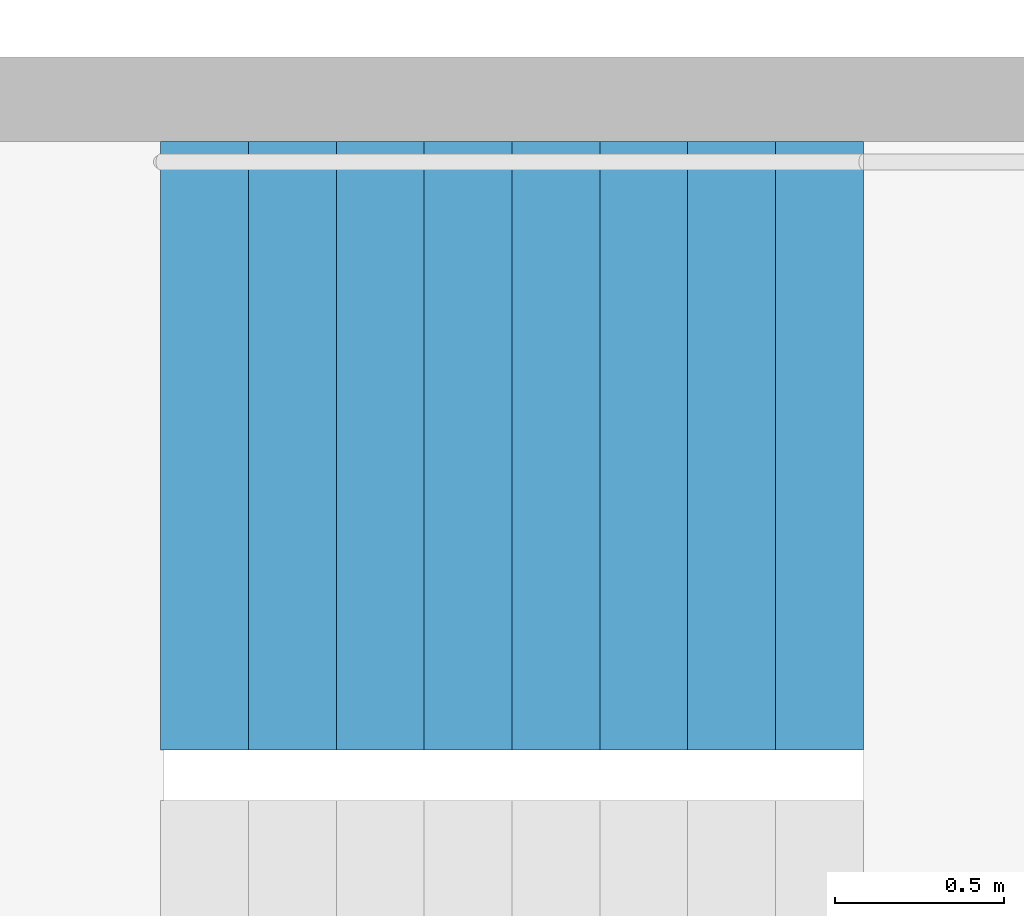
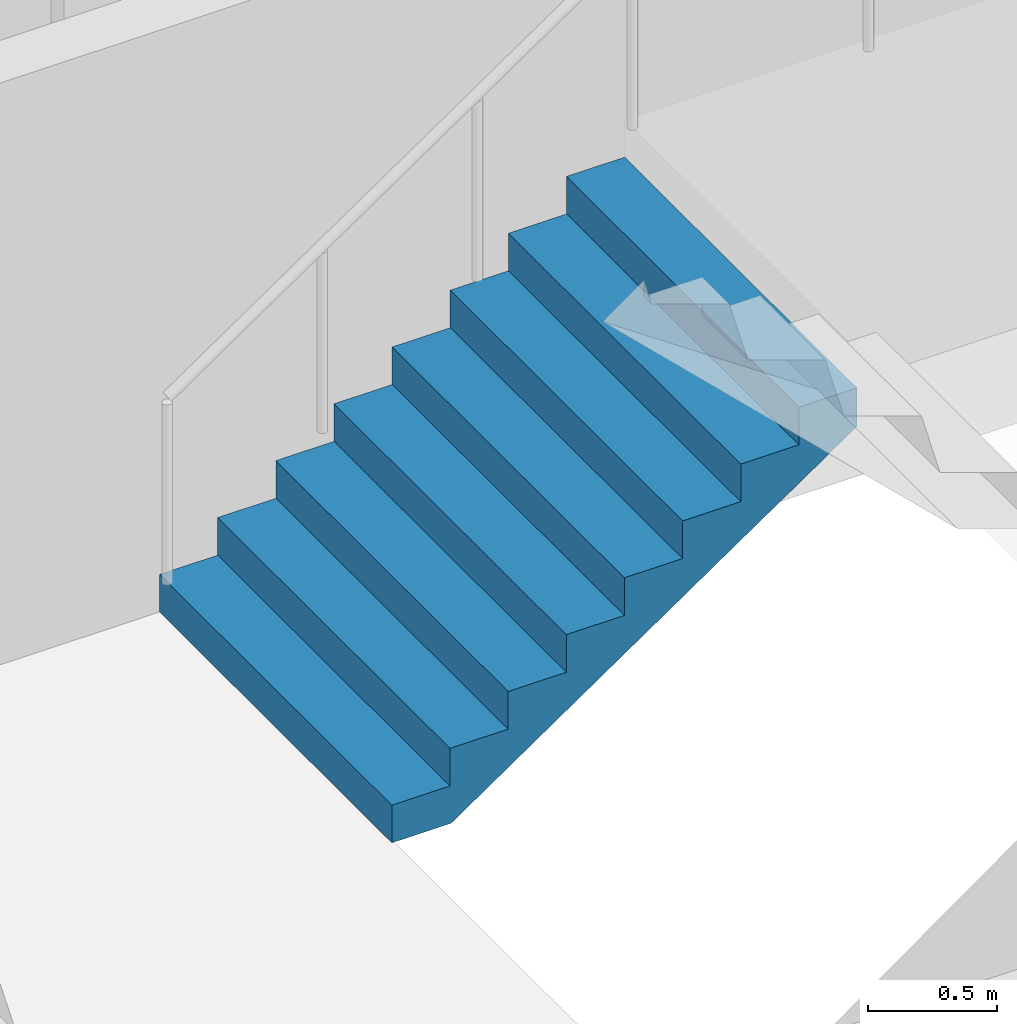
# One storey, part 23 of 26: 1 stair flight, 1 element without a shape of its own.
"""IFC4 building model written with IfcOpenShell, lengths in metres."""

import ifcopenshell
import ifcopenshell.guid

model = None  # the IFC model being written
_history = None  # IfcOwnerHistory: only IFC2X3 demands one
_inside = {}  # id of a spatial element -> (the spatial element, [elements in it])
_under = {}  # id of a project, library or spatial element -> (it, [spatial elements below it])
_declared = {}  # id of a project -> (the project, [libraries it declares])
_typed = {}  # id of a type object -> (the type object, [elements of that type])
_made_of = {}  # id of a material, layer set ... -> (it, [elements and type objects made of it])


def new_model(schema):
    """Start an empty IFC model of exactly this schema.

    Asked for "IFC4X3", IfcOpenShell would pick the latest addendum, in which some entities
    have other attributes; the version numbers below select the first issue.
    IFC2X3 requires an IfcOwnerHistory on every rooted entity: one is made here for all.
    """
    global model, _history
    if schema == "IFC4X3":
        model = ifcopenshell.file(schema_version=(4, 3, 0, 0))
    else:
        model = ifcopenshell.file(schema=schema)
    _inside.clear()
    _under.clear()
    _declared.clear()
    _typed.clear()
    _made_of.clear()
    _history = None
    if model.schema == "IFC2X3":
        org = make("IfcOrganization", Name="unknown")
        user = make(
            "IfcPersonAndOrganization",
            ThePerson=make("IfcPerson", FamilyName="unknown"),
            TheOrganization=org,
        )
        app = make(
            "IfcApplication",
            ApplicationDeveloper=org,
            Version="unknown",
            ApplicationFullName="unknown",
            ApplicationIdentifier="unknown",
        )
        _history = make(
            "IfcOwnerHistory",
            OwningUser=user,
            OwningApplication=app,
            ChangeAction="ADDED",
            CreationDate=0,
        )
    return model


def make(cls, **values):
    """One entity of the class cls with the attributes given. An attribute that is None is left unset."""
    return model.create_entity(
        cls, **{name: value for name, value in values.items() if value is not None}
    )


def rooted(cls, **values):
    """An entity with a GlobalId (a new one), such as an element, a storey or a relation."""
    return make(cls, GlobalId=ifcopenshell.guid.new(), OwnerHistory=_history, **values)


def si_unit(unit_type, name, prefix=None):
    """IfcSIUnit, for example si_unit("LENGTHUNIT", "METRE", prefix="MILLI")."""
    return make("IfcSIUnit", UnitType=unit_type, Prefix=prefix, Name=name)


def assignment(units):
    """IfcUnitAssignment: the units of a project."""
    return None if units is None else make("IfcUnitAssignment", Units=units)


def point(xyz):
    """IfcCartesianPoint."""
    return None if xyz is None else make("IfcCartesianPoint", Coordinates=xyz)


def direction(xyz):
    """IfcDirection."""
    return None if xyz is None else make("IfcDirection", DirectionRatios=xyz)


def frame(location, z_axis=None, x_axis=None):
    """IfcAxis2Placement3D, a coordinate frame: its origin and axes. An axis left out is left unset."""
    return make(
        "IfcAxis2Placement3D",
        Location=point(location),
        Axis=direction(z_axis),
        RefDirection=direction(x_axis),
    )


def origin():
    """The frame at (0, 0, 0) with its axes left unset."""
    return frame((0.0, 0.0, 0.0))


def place(relative_to, where):
    """IfcLocalPlacement: puts the frame where relative to a parent placement (None: the world)."""
    return make(
        "IfcLocalPlacement", PlacementRelTo=relative_to, RelativePlacement=where
    )


def context(
    kind, dimensions, precision=None, world=None, true_north=None, identifier=None
):
    """IfcGeometricRepresentationContext, for example the 3D "Model" context."""
    return make(
        "IfcGeometricRepresentationContext",
        ContextIdentifier=identifier,
        ContextType=kind,
        CoordinateSpaceDimension=dimensions,
        Precision=precision,
        WorldCoordinateSystem=world,
        TrueNorth=true_north,
    )


def subcontext(parent, identifier, kind, view, scale=None):
    """IfcGeometricRepresentationSubContext, for example "Body" below "Model"."""
    return make(
        "IfcGeometricRepresentationSubContext",
        ContextIdentifier=identifier,
        ContextType=kind,
        ParentContext=parent,
        TargetScale=scale,
        TargetView=view,
    )


def project(units=None, contexts=None):
    """IfcProject with its units and contexts."""
    return rooted(
        "IfcProject",
        Name="project",
        RepresentationContexts=contexts,
        UnitsInContext=assignment(units),
    )


def spatial(cls, under=None, at=None, **own):
    """A site, building, storey or space (cls), placed at a placement, below another one or the project."""
    s = rooted(cls, ObjectPlacement=at, **own)
    if under is not None:
        _under.setdefault(under.id(), (under, []))[1].append(s)
    return s


def point_list(points):
    """IfcCartesianPointList2D or 3D."""
    cls = (
        "IfcCartesianPointList2D" if len(points[0]) == 2 else "IfcCartesianPointList3D"
    )
    return make(cls, CoordList=points)


def triangles(points, corners, closed=None, point_numbers=None):
    """IfcTriangulatedFaceSet: each triangle names its three corners, points numbered from 1."""
    return make(
        "IfcTriangulatedFaceSet",
        Coordinates=point_list(points),
        Closed=closed,
        CoordIndex=corners,
        PnIndex=point_numbers,
    )


def shape(context_of_items, identifier, shape_type, items):
    """IfcShapeRepresentation: the items that make up one representation, for example the "Body"."""
    return make(
        "IfcShapeRepresentation",
        ContextOfItems=context_of_items,
        RepresentationIdentifier=identifier,
        RepresentationType=shape_type,
        Items=items,
    )


def material(Name=None, Category=None):
    """IfcMaterial."""
    return make("IfcMaterial", Name=Name, Category=Category)


def made_of(thing, what):
    """Note that an element or type object is made of a material, layer set ...; save() writes the relation."""
    if what is not None:
        _made_of.setdefault(what.id(), (what, []))[1].append(thing)
    return thing


def type_object(cls, material=None, **own):
    """A type object (cls), such as IfcWallType, which elements share."""
    return made_of(rooted(cls, **own), material)


def element(
    cls,
    number,
    at=None,
    inside=None,
    cuts=None,
    type_object=None,
    material=None,
    context=None,
    identifier="Body",
    shape_type=None,
    held_by="IfcProductDefinitionShape",
    body=None,
    shapes=None,
    **own,
):
    """One element of the class cls, such as IfcWall. Its Tag is "e" and its number.

    at: its placement. inside: the storey or other place that contains it. cuts: it is an
    opening in that element (IfcRelVoidsElement). A single representation is given by context,
    identifier, shape_type and body (its items); several are given by shapes. held_by: the class
    of the entity that holds the representations. save() writes the other relations.
    """
    e = rooted(cls, Tag="e%d" % number, ObjectPlacement=at, **own)
    if body is not None:
        shapes = [shape(context, identifier, shape_type, body)]
    if shapes is not None:
        e.Representation = make(held_by, Representations=shapes)
    if inside is not None:
        _inside.setdefault(inside.id(), (inside, []))[1].append(e)
    if cuts is not None:
        rooted(
            "IfcRelVoidsElement", RelatingBuildingElement=cuts, RelatedOpeningElement=e
        )
    if type_object is not None:
        _typed.setdefault(type_object.id(), (type_object, []))[1].append(e)
    return made_of(e, material)


def aggregate(whole, parts):
    """IfcRelAggregates: a whole, such as a stair, and the parts it consists of."""
    return rooted("IfcRelAggregates", RelatingObject=whole, RelatedObjects=parts)


def save(model, path):
    """Write the relations noted so far, then the file.

    IfcRelAggregates (storeys below a building ...), IfcRelContainedInSpatialStructure (elements
    in a storey), IfcRelDefinesByType, IfcRelAssociatesMaterial and IfcRelDeclares: one each for
    every whole, place, type object, material and project.
    """
    for whole, parts in _under.values():
        aggregate(whole, parts)
    for where, things in _inside.values():
        rooted(
            "IfcRelContainedInSpatialStructure",
            RelatedElements=things,
            RelatingStructure=where,
        )
    for kind, things in _typed.values():
        rooted("IfcRelDefinesByType", RelatedObjects=things, RelatingType=kind)
    for what, things in _made_of.values():
        rooted("IfcRelAssociatesMaterial", RelatedObjects=things, RelatingMaterial=what)
    for by, libraries in _declared.values():
        rooted("IfcRelDeclares", RelatingContext=by, RelatedDefinitions=libraries)
    model.write(path)


model = new_model("IFC4")

# Units and contexts
model_context = context("Model", 3, precision=1e-05, world=origin(), true_north=direction((0.0, 1.0)))
body_context = subcontext(model_context, "Body", "Model", "MODEL_VIEW")
ifc_project = project(units=[si_unit("LENGTHUNIT", "METRE"), si_unit("AREAUNIT", "SQUARE_METRE"), si_unit("VOLUMEUNIT", "CUBIC_METRE"), si_unit("PLANEANGLEUNIT", "RADIAN"), si_unit("MASSUNIT", "GRAM", prefix="KILO")], contexts=[model_context])

# Site, building, storey
site_placement = place(None, origin())
site = spatial("IfcSite", under=ifc_project, at=site_placement, CompositionType="ELEMENT")
building_placement = place(site_placement, origin())
building = spatial("IfcBuilding", under=site, at=building_placement, Name="Hakoniwa Tower and Hamabe Station Hall", CompositionType="ELEMENT")
storey_placement = place(building_placement, frame((0.0, 0.0, 140.60009765625)))
storey = spatial("IfcBuildingStorey", under=building, at=storey_placement, Name="L39", CompositionType="ELEMENT", Elevation=140.60009765625)

# Stair, stair flight
ifc_material_1 = material(Name="Concrete C40", Category="concrete")
stair_type = type_object("IfcStairType", Name="ESCAPE STAIR 1800", PredefinedType="HALF_TURN_STAIR", material=ifc_material_1)
stair_placement = place(storey_placement, origin())
stair = element("IfcStair", 1, at=stair_placement, inside=storey, type_object=stair_type, Name="Escape stair ST-4 L39", PredefinedType="HALF_TURN_STAIR")
ifc_material_2 = material(Name="Concrete C40", Category="concrete")
stair_flight_type = type_object("IfcStairFlightType", Name="STAIR FLIGHT 1800", PredefinedType="STRAIGHT", material=ifc_material_2)
stair_flight_placement = place(storey_placement, frame((23.39990234375, -4.64990234375, 0.0), z_axis=(0.0, 0.0, 1.0), x_axis=(1.0, 0.0, 0.0)))
stair_flight = element("IfcStairFlight", 2, at=stair_flight_placement, type_object=stair_flight_type, Name="ST-4 flight 1", NumberOfRisers=9, NumberOfTreads=8, PredefinedType="STRAIGHT", RiserHeight=0.177777778, TreadLength=0.26, context=body_context, shape_type="Tessellation", body=[
    triangles([(0.0, 0.89990234375, 0.0), (0.260009765625, 0.89990234375, 0.0), (0.265625, 0.89990234375, 0.0), (0.52001953125, 0.89990234375, 0.174072265625), (0.780029296875, 0.89990234375, 0.351806640625), (1.0400390625, 0.89990234375, 0.529541015625), (1.300048828125, 0.89990234375, 0.707275390625), (1.56005859375, 0.89990234375, 0.885009765625), (1.820068359375, 0.89990234375, 1.062744140625), (2.080078125, 0.89990234375, 1.24072265625), (2.080078125, 0.89990234375, 1.422119140625), (1.820068359375, 0.89990234375, 1.422119140625), (1.820068359375, 0.89990234375, 1.244384765625), (1.56005859375, 0.89990234375, 1.244384765625), (1.56005859375, 0.89990234375, 1.066650390625), (1.300048828125, 0.89990234375, 1.066650390625), (1.300048828125, 0.89990234375, 0.888916015625), (1.0400390625, 0.89990234375, 0.888916015625), (1.0400390625, 0.89990234375, 0.711181640625), (0.780029296875, 0.89990234375, 0.711181640625), (0.780029296875, 0.89990234375, 0.533447265625), (0.52001953125, 0.89990234375, 0.533447265625), (0.52001953125, 0.89990234375, 0.35546875), (0.265625, 0.89990234375, 0.35546875), (0.260009765625, 0.89990234375, 0.35546875), (0.260009765625, 0.89990234375, 0.177734375), (0.0, 0.89990234375, 0.177734375), (0.0, 0.06005859375, 0.0), (0.260009765625, 0.06005859375, 0.0), (0.265625, 0.06005859375, 0.0), (0.52001953125, 0.06005859375, 0.174072265625), (0.780029296875, 0.06005859375, 0.351806640625), (1.0400390625, 0.06005859375, 0.529541015625), (1.300048828125, 0.06005859375, 0.707275390625), (1.56005859375, 0.06005859375, 0.885009765625), (1.820068359375, 0.06005859375, 1.062744140625), (2.080078125, 0.06005859375, 1.24072265625), (2.080078125, 0.06005859375, 1.422119140625), (1.820068359375, 0.06005859375, 1.422119140625), (1.820068359375, 0.06005859375, 1.244384765625), (1.56005859375, 0.06005859375, 1.244384765625), (1.56005859375, 0.06005859375, 1.066650390625), (1.300048828125, 0.06005859375, 1.066650390625), (1.300048828125, 0.06005859375, 0.888916015625), (1.0400390625, 0.06005859375, 0.888916015625), (1.0400390625, 0.06005859375, 0.711181640625), (0.780029296875, 0.06005859375, 0.711181640625), (0.780029296875, 0.06005859375, 0.533447265625), (0.52001953125, 0.06005859375, 0.533447265625), (0.52001953125, 0.06005859375, 0.35546875), (0.265625, 0.06005859375, 0.35546875), (0.260009765625, 0.06005859375, 0.35546875), (0.260009765625, 0.06005859375, 0.177734375), (0.0, 0.06005859375, 0.177734375), (0.0, 0.04296875, 0.0), (0.260009765625, 0.04296875, 0.0), (0.265625, 0.04296875, 0.0), (0.52001953125, 0.04296875, 0.174072265625), (0.780029296875, 0.04296875, 0.351806640625), (1.0400390625, 0.04296875, 0.529541015625), (1.300048828125, 0.04296875, 0.707275390625), (1.56005859375, 0.04296875, 0.885009765625), (1.820068359375, 0.04296875, 1.062744140625), (2.080078125, 0.04296875, 1.24072265625), (2.080078125, 0.04296875, 1.422119140625), (1.820068359375, 0.04296875, 1.422119140625), (1.820068359375, 0.04296875, 1.244384765625), (1.56005859375, 0.04296875, 1.244384765625), (1.56005859375, 0.04296875, 1.066650390625), (1.300048828125, 0.04296875, 1.066650390625), (1.300048828125, 0.04296875, 0.888916015625), (1.0400390625, 0.04296875, 0.888916015625), (1.0400390625, 0.04296875, 0.711181640625), (0.780029296875, 0.04296875, 0.711181640625), (0.780029296875, 0.04296875, 0.533447265625), (0.52001953125, 0.04296875, 0.533447265625), (0.52001953125, 0.04296875, 0.35546875), (0.265625, 0.04296875, 0.35546875), (0.260009765625, 0.04296875, 0.35546875), (0.260009765625, 0.04296875, 0.177734375), (0.0, 0.04296875, 0.177734375), (0.0, 0.025634765625, 0.0), (0.260009765625, 0.025634765625, 0.0), (0.265625, 0.025634765625, 0.0), (0.52001953125, 0.025634765625, 0.174072265625), (0.780029296875, 0.025634765625, 0.351806640625), (1.0400390625, 0.025634765625, 0.529541015625), (1.300048828125, 0.025634765625, 0.707275390625), (1.56005859375, 0.025634765625, 0.885009765625), (1.820068359375, 0.025634765625, 1.062744140625), (2.080078125, 0.025634765625, 1.24072265625), (2.080078125, 0.025634765625, 1.422119140625), (1.820068359375, 0.025634765625, 1.422119140625), (1.820068359375, 0.025634765625, 1.244384765625), (1.56005859375, 0.025634765625, 1.244384765625), (1.56005859375, 0.025634765625, 1.066650390625), (1.300048828125, 0.025634765625, 1.066650390625), (1.300048828125, 0.025634765625, 0.888916015625), (1.0400390625, 0.025634765625, 0.888916015625), (1.0400390625, 0.025634765625, 0.711181640625), (0.780029296875, 0.025634765625, 0.711181640625), (0.780029296875, 0.025634765625, 0.533447265625), (0.52001953125, 0.025634765625, 0.533447265625), (0.52001953125, 0.025634765625, 0.35546875), (0.265625, 0.025634765625, 0.35546875), (0.260009765625, 0.025634765625, 0.35546875), (0.260009765625, 0.025634765625, 0.177734375), (0.0, 0.025634765625, 0.177734375), (0.0, 0.008544921875, 0.0), (0.260009765625, 0.008544921875, 0.0), (0.265625, 0.008544921875, 0.0), (0.52001953125, 0.008544921875, 0.174072265625), (0.780029296875, 0.008544921875, 0.351806640625), (1.0400390625, 0.008544921875, 0.529541015625), (1.300048828125, 0.008544921875, 0.707275390625), (1.56005859375, 0.008544921875, 0.885009765625), (1.820068359375, 0.008544921875, 1.062744140625), (2.080078125, 0.008544921875, 1.24072265625), (2.080078125, 0.008544921875, 1.422119140625), (1.820068359375, 0.008544921875, 1.422119140625), (1.820068359375, 0.008544921875, 1.244384765625), (1.56005859375, 0.008544921875, 1.244384765625), (1.56005859375, 0.008544921875, 1.066650390625), (1.300048828125, 0.008544921875, 1.066650390625), (1.300048828125, 0.008544921875, 0.888916015625), (1.0400390625, 0.008544921875, 0.888916015625), (1.0400390625, 0.008544921875, 0.711181640625), (0.780029296875, 0.008544921875, 0.711181640625), (0.780029296875, 0.008544921875, 0.533447265625), (0.52001953125, 0.008544921875, 0.533447265625), (0.52001953125, 0.008544921875, 0.35546875), (0.265625, 0.008544921875, 0.35546875), (0.260009765625, 0.008544921875, 0.35546875), (0.260009765625, 0.008544921875, 0.177734375), (0.0, 0.008544921875, 0.177734375), (0.0, -0.008544921875, 0.0), (0.260009765625, -0.008544921875, 0.0), (0.265625, -0.008544921875, 0.0), (0.52001953125, -0.008544921875, 0.174072265625), (0.780029296875, -0.008544921875, 0.351806640625), (1.0400390625, -0.008544921875, 0.529541015625), (1.300048828125, -0.008544921875, 0.707275390625), (1.56005859375, -0.008544921875, 0.885009765625), (1.820068359375, -0.008544921875, 1.062744140625), (2.080078125, -0.008544921875, 1.24072265625), (2.080078125, -0.008544921875, 1.422119140625), (1.820068359375, -0.008544921875, 1.422119140625), (1.820068359375, -0.008544921875, 1.244384765625), (1.56005859375, -0.008544921875, 1.244384765625), (1.56005859375, -0.008544921875, 1.066650390625), (1.300048828125, -0.008544921875, 1.066650390625), (1.300048828125, -0.008544921875, 0.888916015625), (1.0400390625, -0.008544921875, 0.888916015625), (1.0400390625, -0.008544921875, 0.711181640625), (0.780029296875, -0.008544921875, 0.711181640625), (0.780029296875, -0.008544921875, 0.533447265625), (0.52001953125, -0.008544921875, 0.533447265625), (0.52001953125, -0.008544921875, 0.35546875), (0.265625, -0.008544921875, 0.35546875), (0.260009765625, -0.008544921875, 0.35546875), (0.260009765625, -0.008544921875, 0.177734375), (0.0, -0.008544921875, 0.177734375), (0.0, -0.025634765625, 0.0), (0.260009765625, -0.025634765625, 0.0), (0.265625, -0.025634765625, 0.0), (0.52001953125, -0.025634765625, 0.174072265625), (0.780029296875, -0.025634765625, 0.351806640625), (1.0400390625, -0.025634765625, 0.529541015625), (1.300048828125, -0.025634765625, 0.707275390625), (1.56005859375, -0.025634765625, 0.885009765625), (1.820068359375, -0.025634765625, 1.062744140625), (2.080078125, -0.025634765625, 1.24072265625), (2.080078125, -0.025634765625, 1.422119140625), (1.820068359375, -0.025634765625, 1.422119140625), (1.820068359375, -0.025634765625, 1.244384765625), (1.56005859375, -0.025634765625, 1.244384765625), (1.56005859375, -0.025634765625, 1.066650390625), (1.300048828125, -0.025634765625, 1.066650390625), (1.300048828125, -0.025634765625, 0.888916015625), (1.0400390625, -0.025634765625, 0.888916015625), (1.0400390625, -0.025634765625, 0.711181640625), (0.780029296875, -0.025634765625, 0.711181640625), (0.780029296875, -0.025634765625, 0.533447265625), (0.52001953125, -0.025634765625, 0.533447265625), (0.52001953125, -0.025634765625, 0.35546875), (0.265625, -0.025634765625, 0.35546875), (0.260009765625, -0.025634765625, 0.35546875), (0.260009765625, -0.025634765625, 0.177734375), (0.0, -0.025634765625, 0.177734375), (0.0, -0.04296875, 0.0), (0.260009765625, -0.04296875, 0.0), (0.265625, -0.04296875, 0.0), (0.52001953125, -0.04296875, 0.174072265625), (0.780029296875, -0.04296875, 0.351806640625), (1.0400390625, -0.04296875, 0.529541015625), (1.300048828125, -0.04296875, 0.707275390625), (1.56005859375, -0.04296875, 0.885009765625), (1.820068359375, -0.04296875, 1.062744140625), (2.080078125, -0.04296875, 1.24072265625), (2.080078125, -0.04296875, 1.422119140625), (1.820068359375, -0.04296875, 1.422119140625), (1.820068359375, -0.04296875, 1.244384765625), (1.56005859375, -0.04296875, 1.244384765625), (1.56005859375, -0.04296875, 1.066650390625), (1.300048828125, -0.04296875, 1.066650390625), (1.300048828125, -0.04296875, 0.888916015625), (1.0400390625, -0.04296875, 0.888916015625), (1.0400390625, -0.04296875, 0.711181640625), (0.780029296875, -0.04296875, 0.711181640625), (0.780029296875, -0.04296875, 0.533447265625), (0.52001953125, -0.04296875, 0.533447265625), (0.52001953125, -0.04296875, 0.35546875), (0.265625, -0.04296875, 0.35546875), (0.260009765625, -0.04296875, 0.35546875), (0.260009765625, -0.04296875, 0.177734375), (0.0, -0.04296875, 0.177734375), (0.0, -0.06005859375, 0.0), (0.260009765625, -0.06005859375, 0.0), (0.265625, -0.06005859375, 0.0), (0.52001953125, -0.06005859375, 0.174072265625), (0.780029296875, -0.06005859375, 0.351806640625), (1.0400390625, -0.06005859375, 0.529541015625), (1.300048828125, -0.06005859375, 0.707275390625), (1.56005859375, -0.06005859375, 0.885009765625), (1.820068359375, -0.06005859375, 1.062744140625), (2.080078125, -0.06005859375, 1.24072265625), (2.080078125, -0.06005859375, 1.422119140625), (1.820068359375, -0.06005859375, 1.422119140625), (1.820068359375, -0.06005859375, 1.244384765625), (1.56005859375, -0.06005859375, 1.244384765625), (1.56005859375, -0.06005859375, 1.066650390625), (1.300048828125, -0.06005859375, 1.066650390625), (1.300048828125, -0.06005859375, 0.888916015625), (1.0400390625, -0.06005859375, 0.888916015625), (1.0400390625, -0.06005859375, 0.711181640625), (0.780029296875, -0.06005859375, 0.711181640625), (0.780029296875, -0.06005859375, 0.533447265625), (0.52001953125, -0.06005859375, 0.533447265625), (0.52001953125, -0.06005859375, 0.35546875), (0.265625, -0.06005859375, 0.35546875), (0.260009765625, -0.06005859375, 0.35546875), (0.260009765625, -0.06005859375, 0.177734375), (0.0, -0.06005859375, 0.177734375), (0.0, -0.89990234375, 0.0), (0.260009765625, -0.89990234375, 0.0), (0.265625, -0.89990234375, 0.0), (0.52001953125, -0.89990234375, 0.174072265625), (0.780029296875, -0.89990234375, 0.351806640625), (1.0400390625, -0.89990234375, 0.529541015625), (1.300048828125, -0.89990234375, 0.707275390625), (1.56005859375, -0.89990234375, 0.885009765625), (1.820068359375, -0.89990234375, 1.062744140625), (2.080078125, -0.89990234375, 1.24072265625), (2.080078125, -0.89990234375, 1.422119140625), (1.820068359375, -0.89990234375, 1.422119140625), (1.820068359375, -0.89990234375, 1.244384765625), (1.56005859375, -0.89990234375, 1.244384765625), (1.56005859375, -0.89990234375, 1.066650390625), (1.300048828125, -0.89990234375, 1.066650390625), (1.300048828125, -0.89990234375, 0.888916015625), (1.0400390625, -0.89990234375, 0.888916015625), (1.0400390625, -0.89990234375, 0.711181640625), (0.780029296875, -0.89990234375, 0.711181640625), (0.780029296875, -0.89990234375, 0.533447265625), (0.52001953125, -0.89990234375, 0.533447265625), (0.52001953125, -0.89990234375, 0.35546875), (0.265625, -0.89990234375, 0.35546875), (0.260009765625, -0.89990234375, 0.35546875), (0.260009765625, -0.89990234375, 0.177734375), (0.0, -0.89990234375, 0.177734375)], [[2, 27, 26], [245, 269, 270], [2, 1, 27], [245, 270, 244], [3, 25, 24], [246, 267, 268], [3, 26, 25], [246, 268, 269], [3, 2, 26], [246, 269, 245], [4, 24, 23], [247, 266, 267], [4, 3, 24], [247, 267, 246], [5, 22, 21], [248, 264, 265], [5, 23, 22], [248, 265, 266], [5, 4, 23], [248, 266, 247], [6, 20, 19], [249, 262, 263], [6, 21, 20], [249, 263, 264], [6, 5, 21], [249, 264, 248], [7, 18, 17], [250, 260, 261], [7, 19, 18], [250, 261, 262], [7, 6, 19], [250, 262, 249], [8, 16, 15], [251, 258, 259], [8, 17, 16], [251, 259, 260], [8, 7, 17], [251, 260, 250], [9, 14, 13], [252, 256, 257], [9, 15, 14], [252, 257, 258], [9, 8, 15], [252, 258, 251], [10, 12, 11], [253, 254, 255], [10, 13, 12], [253, 255, 256], [10, 9, 13], [253, 256, 252], [1, 2, 29], [1, 29, 28], [28, 29, 56], [28, 56, 55], [55, 56, 83], [55, 83, 82], [82, 83, 110], [82, 110, 109], [109, 110, 137], [109, 137, 136], [136, 137, 164], [136, 164, 163], [163, 164, 191], [163, 191, 190], [190, 191, 218], [190, 218, 217], [217, 218, 245], [217, 245, 244], [2, 3, 30], [2, 30, 29], [29, 30, 57], [29, 57, 56], [56, 57, 84], [56, 84, 83], [83, 84, 111], [83, 111, 110], [110, 111, 138], [110, 138, 137], [137, 138, 165], [137, 165, 164], [164, 165, 192], [164, 192, 191], [191, 192, 219], [191, 219, 218], [218, 219, 246], [218, 246, 245], [3, 4, 31], [3, 31, 30], [30, 31, 58], [30, 58, 57], [57, 58, 85], [57, 85, 84], [84, 85, 112], [84, 112, 111], [111, 112, 139], [111, 139, 138], [138, 139, 166], [138, 166, 165], [165, 166, 193], [165, 193, 192], [192, 193, 220], [192, 220, 219], [219, 220, 247], [219, 247, 246], [4, 5, 32], [4, 32, 31], [31, 32, 59], [31, 59, 58], [58, 59, 86], [58, 86, 85], [85, 86, 113], [85, 113, 112], [112, 113, 140], [112, 140, 139], [139, 140, 167], [139, 167, 166], [166, 167, 194], [166, 194, 193], [193, 194, 221], [193, 221, 220], [220, 221, 248], [220, 248, 247], [5, 6, 33], [5, 33, 32], [32, 33, 60], [32, 60, 59], [59, 60, 87], [59, 87, 86], [86, 87, 114], [86, 114, 113], [113, 114, 141], [113, 141, 140], [140, 141, 168], [140, 168, 167], [167, 168, 195], [167, 195, 194], [194, 195, 222], [194, 222, 221], [221, 222, 249], [221, 249, 248], [6, 7, 34], [6, 34, 33], [33, 34, 61], [33, 61, 60], [60, 61, 88], [60, 88, 87], [87, 88, 115], [87, 115, 114], [114, 115, 142], [114, 142, 141], [141, 142, 169], [141, 169, 168], [168, 169, 196], [168, 196, 195], [195, 196, 223], [195, 223, 222], [222, 223, 250], [222, 250, 249], [7, 8, 35], [7, 35, 34], [34, 35, 62], [34, 62, 61], [61, 62, 89], [61, 89, 88], [88, 89, 116], [88, 116, 115], [115, 116, 143], [115, 143, 142], [142, 143, 170], [142, 170, 169], [169, 170, 197], [169, 197, 196], [196, 197, 224], [196, 224, 223], [223, 224, 251], [223, 251, 250], [8, 9, 36], [8, 36, 35], [35, 36, 63], [35, 63, 62], [62, 63, 90], [62, 90, 89], [89, 90, 117], [89, 117, 116], [116, 117, 144], [116, 144, 143], [143, 144, 171], [143, 171, 170], [170, 171, 198], [170, 198, 197], [197, 198, 225], [197, 225, 224], [224, 225, 252], [224, 252, 251], [9, 10, 37], [9, 37, 36], [36, 37, 64], [36, 64, 63], [63, 64, 91], [63, 91, 90], [90, 91, 118], [90, 118, 117], [117, 118, 145], [117, 145, 144], [144, 145, 172], [144, 172, 171], [171, 172, 199], [171, 199, 198], [198, 199, 226], [198, 226, 225], [225, 226, 253], [225, 253, 252], [10, 11, 38], [10, 38, 37], [37, 38, 65], [37, 65, 64], [64, 65, 92], [64, 92, 91], [91, 92, 119], [91, 119, 118], [118, 119, 146], [118, 146, 145], [145, 146, 173], [145, 173, 172], [172, 173, 200], [172, 200, 199], [199, 200, 227], [199, 227, 226], [226, 227, 254], [226, 254, 253], [11, 12, 39], [11, 39, 38], [38, 39, 66], [38, 66, 65], [65, 66, 93], [65, 93, 92], [92, 93, 120], [92, 120, 119], [119, 120, 147], [119, 147, 146], [146, 147, 174], [146, 174, 173], [173, 174, 201], [173, 201, 200], [200, 201, 228], [200, 228, 227], [227, 228, 255], [227, 255, 254], [12, 13, 40], [12, 40, 39], [39, 40, 67], [39, 67, 66], [66, 67, 94], [66, 94, 93], [93, 94, 121], [93, 121, 120], [120, 121, 148], [120, 148, 147], [147, 148, 175], [147, 175, 174], [174, 175, 202], [174, 202, 201], [201, 202, 229], [201, 229, 228], [228, 229, 256], [228, 256, 255], [13, 14, 41], [13, 41, 40], [40, 41, 68], [40, 68, 67], [67, 68, 95], [67, 95, 94], [94, 95, 122], [94, 122, 121], [121, 122, 149], [121, 149, 148], [148, 149, 176], [148, 176, 175], [175, 176, 203], [175, 203, 202], [202, 203, 230], [202, 230, 229], [229, 230, 257], [229, 257, 256], [14, 15, 42], [14, 42, 41], [41, 42, 69], [41, 69, 68], [68, 69, 96], [68, 96, 95], [95, 96, 123], [95, 123, 122], [122, 123, 150], [122, 150, 149], [149, 150, 177], [149, 177, 176], [176, 177, 204], [176, 204, 203], [203, 204, 231], [203, 231, 230], [230, 231, 258], [230, 258, 257], [15, 16, 43], [15, 43, 42], [42, 43, 70], [42, 70, 69], [69, 70, 97], [69, 97, 96], [96, 97, 124], [96, 124, 123], [123, 124, 151], [123, 151, 150], [150, 151, 178], [150, 178, 177], [177, 178, 205], [177, 205, 204], [204, 205, 232], [204, 232, 231], [231, 232, 259], [231, 259, 258], [16, 17, 44], [16, 44, 43], [43, 44, 71], [43, 71, 70], [70, 71, 98], [70, 98, 97], [97, 98, 125], [97, 125, 124], [124, 125, 152], [124, 152, 151], [151, 152, 179], [151, 179, 178], [178, 179, 206], [178, 206, 205], [205, 206, 233], [205, 233, 232], [232, 233, 260], [232, 260, 259], [17, 18, 45], [17, 45, 44], [44, 45, 72], [44, 72, 71], [71, 72, 99], [71, 99, 98], [98, 99, 126], [98, 126, 125], [125, 126, 153], [125, 153, 152], [152, 153, 180], [152, 180, 179], [179, 180, 207], [179, 207, 206], [206, 207, 234], [206, 234, 233], [233, 234, 261], [233, 261, 260], [18, 19, 46], [18, 46, 45], [45, 46, 73], [45, 73, 72], [72, 73, 100], [72, 100, 99], [99, 100, 127], [99, 127, 126], [126, 127, 154], [126, 154, 153], [153, 154, 181], [153, 181, 180], [180, 181, 208], [180, 208, 207], [207, 208, 235], [207, 235, 234], [234, 235, 262], [234, 262, 261], [19, 20, 47], [19, 47, 46], [46, 47, 74], [46, 74, 73], [73, 74, 101], [73, 101, 100], [100, 101, 128], [100, 128, 127], [127, 128, 155], [127, 155, 154], [154, 155, 182], [154, 182, 181], [181, 182, 209], [181, 209, 208], [208, 209, 236], [208, 236, 235], [235, 236, 263], [235, 263, 262], [20, 21, 48], [20, 48, 47], [47, 48, 75], [47, 75, 74], [74, 75, 102], [74, 102, 101], [101, 102, 129], [101, 129, 128], [128, 129, 156], [128, 156, 155], [155, 156, 183], [155, 183, 182], [182, 183, 210], [182, 210, 209], [209, 210, 237], [209, 237, 236], [236, 237, 264], [236, 264, 263], [21, 22, 49], [21, 49, 48], [48, 49, 76], [48, 76, 75], [75, 76, 103], [75, 103, 102], [102, 103, 130], [102, 130, 129], [129, 130, 157], [129, 157, 156], [156, 157, 184], [156, 184, 183], [183, 184, 211], [183, 211, 210], [210, 211, 238], [210, 238, 237], [237, 238, 265], [237, 265, 264], [22, 23, 50], [22, 50, 49], [49, 50, 77], [49, 77, 76], [76, 77, 104], [76, 104, 103], [103, 104, 131], [103, 131, 130], [130, 131, 158], [130, 158, 157], [157, 158, 185], [157, 185, 184], [184, 185, 212], [184, 212, 211], [211, 212, 239], [211, 239, 238], [238, 239, 266], [238, 266, 265], [23, 24, 51], [23, 51, 50], [50, 51, 78], [50, 78, 77], [77, 78, 105], [77, 105, 104], [104, 105, 132], [104, 132, 131], [131, 132, 159], [131, 159, 158], [158, 159, 186], [158, 186, 185], [185, 186, 213], [185, 213, 212], [212, 213, 240], [212, 240, 239], [239, 240, 267], [239, 267, 266], [24, 25, 52], [24, 52, 51], [51, 52, 79], [51, 79, 78], [78, 79, 106], [78, 106, 105], [105, 106, 133], [105, 133, 132], [132, 133, 160], [132, 160, 159], [159, 160, 187], [159, 187, 186], [186, 187, 214], [186, 214, 213], [213, 214, 241], [213, 241, 240], [240, 241, 268], [240, 268, 267], [25, 26, 53], [25, 53, 52], [52, 53, 80], [52, 80, 79], [79, 80, 107], [79, 107, 106], [106, 107, 134], [106, 134, 133], [133, 134, 161], [133, 161, 160], [160, 161, 188], [160, 188, 187], [187, 188, 215], [187, 215, 214], [214, 215, 242], [214, 242, 241], [241, 242, 269], [241, 269, 268], [26, 27, 54], [26, 54, 53], [53, 54, 81], [53, 81, 80], [80, 81, 108], [80, 108, 107], [107, 108, 135], [107, 135, 134], [134, 135, 162], [134, 162, 161], [161, 162, 189], [161, 189, 188], [188, 189, 216], [188, 216, 215], [215, 216, 243], [215, 243, 242], [242, 243, 270], [242, 270, 269], [27, 1, 28], [27, 28, 54], [54, 28, 55], [54, 55, 81], [81, 55, 82], [81, 82, 108], [108, 82, 109], [108, 109, 135], [135, 109, 136], [135, 136, 162], [162, 136, 163], [162, 163, 189], [189, 163, 190], [189, 190, 216], [216, 190, 217], [216, 217, 243], [243, 217, 244], [243, 244, 270]], closed=True),
])
aggregate(stair, [stair_flight])

save(model, "model.ifc")
